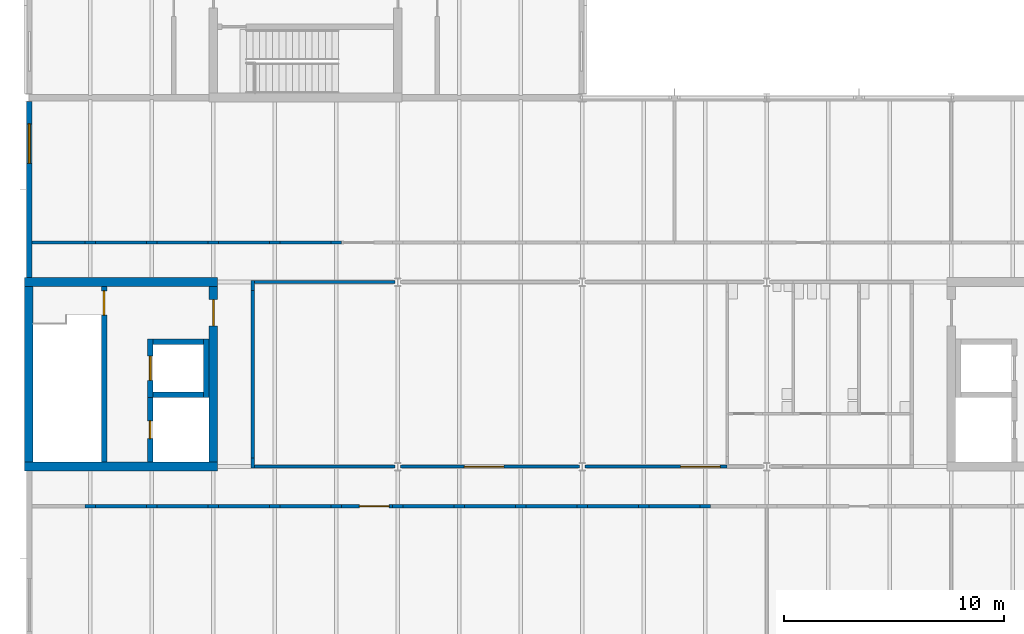
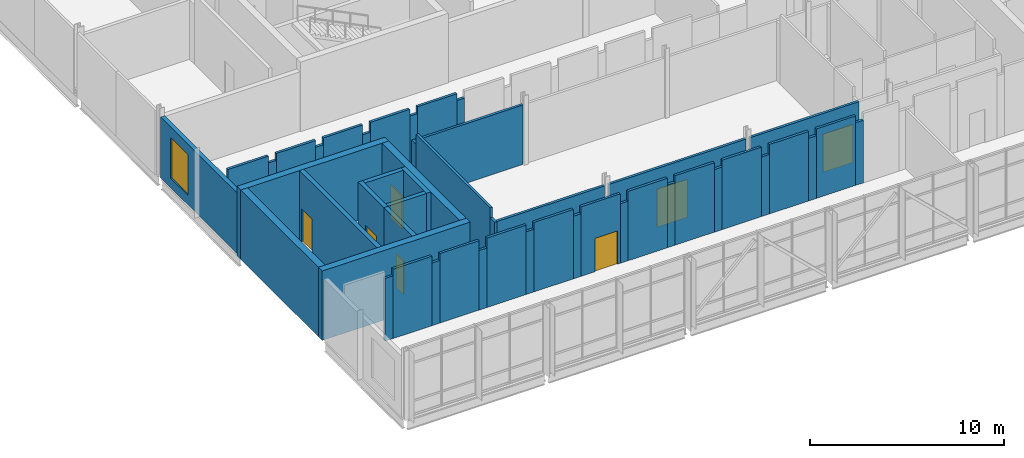
# One storey, part 38 of 72: 49 walls, 7 doors, 1 window, 8 openings.
"""IFC4 building model written with IfcOpenShell, lengths in metres."""

from ifc_helpers import new_model, si_unit, direction, frame, frame_2d, origin, place, context, subcontext, project, spatial, rectangle, extrude, material, layer, layer_set, type_object, element, fill, save


model = new_model("IFC4")

# Units and contexts
model_context = context("Model", 3, precision=1e-05, world=origin(), true_north=direction((0.0, 1.0)))
body_context = subcontext(model_context, "Body", "Model", "MODEL_VIEW")
ifc_project = project(units=[si_unit("LENGTHUNIT", "METRE"), si_unit("AREAUNIT", "SQUARE_METRE"), si_unit("VOLUMEUNIT", "CUBIC_METRE"), si_unit("PLANEANGLEUNIT", "RADIAN"), si_unit("MASSUNIT", "GRAM", prefix="KILO")], contexts=[model_context])

# Site, building, storey
site_placement = place(None, origin())
site = spatial("IfcSite", under=ifc_project, at=site_placement, CompositionType="ELEMENT")
building_placement = place(site_placement, origin())
building = spatial("IfcBuilding", under=site, at=building_placement, Name="Hlaing Beacon Police Headquarters", CompositionType="ELEMENT")
storey_placement = place(building_placement, frame((0.0, 0.0, 14.39990234375)))
storey = spatial("IfcBuildingStorey", under=building, at=storey_placement, Name="L03", CompositionType="ELEMENT", Elevation=14.39990234375)

# Walls
ifc_material_1 = material(Name="Concrete C60/75", Category="concrete")
ifc_layer_1 = layer(ifc_material_1, 0.39990234375)
ifc_layer_set_1 = layer_set([ifc_layer_1], Name="Concrete C60/75")
wall_type_1 = type_object("IfcWallType", Name="Core shear wall 400", PredefinedType="SHEAR", material=ifc_layer_set_1)
for number, where, z_axis, x_axis, name in (
    (1, (8.199951171875, 16.800048828125, 0.0), (0.0, 0.0, 1.0), (1.0, 0.0, 0.0), "Core shear wall"),
    (2, (8.199951171875, 25.199951171875, 0.0), (0.0, 0.0, 1.0), (1.0, 0.0, 0.0), "Core shear wall"),
):
    element("IfcWall", number, at=place(storey_placement, frame(where, z_axis=z_axis, x_axis=x_axis)), inside=storey, type_object=wall_type_1, Name=name, PredefinedType="SHEAR", context=body_context, shape_type="SweptSolid", body=[
        extrude(rectangle(XDim=8.800048828125, YDim=0.39990234375, at=frame_2d((4.39990234375, 0.0))), origin(), (0.0, 0.0, 1.0), 4.3701171875),
    ])
wall_1_placement = place(storey_placement, frame((8.39990234375, 17.0, 0.0), z_axis=(0.0, 0.0, 1.0), x_axis=(0.0, 1.0, 0.0)))
element("IfcWall", 3, at=wall_1_placement, inside=storey, type_object=wall_type_1, Name="Core shear wall", PredefinedType="SHEAR", context=body_context, shape_type="SweptSolid", body=[
    extrude(rectangle(XDim=8.0, YDim=0.39990234375, at=frame_2d((4.0, 0.0))), origin(), (0.0, 0.0, 1.0), 4.3701171875),
])

# Wall, opening, door
wall_2_placement = place(storey_placement, frame((16.800048828125, 17.0, 0.0), z_axis=(0.0, 0.0, 1.0), x_axis=(0.0, 1.0, 0.0)))
wall_2 = element("IfcWall", 4, at=wall_2_placement, inside=storey, type_object=wall_type_1, Name="Core shear wall", PredefinedType="SHEAR", context=body_context, shape_type="SweptSolid", body=[
    extrude(rectangle(XDim=8.0, YDim=0.39990234375, at=frame_2d((4.0, 0.0))), origin(), (0.0, 0.0, 1.0), 4.3701171875),
])
opening_1_placement = place(wall_2_placement, frame((6.199951171875, 0.0, 0.0)))
opening_1 = element("IfcOpeningElement", 5, at=opening_1_placement, cuts=wall_2, Name="Opening L03-901", PredefinedType="OPENING", context=body_context, shape_type="SweptSolid", body=[
    extrude(rectangle(XDim=1.199951171875, YDim=2.10009765625, at=frame_2d((0.60009765625, 1.050048828125))), frame((0.0, 0.2099609375, 0.0), z_axis=(0.0, -1.0, 0.0), x_axis=(1.0, 0.0, 0.0)), (0.0, 0.0, 1.0), 0.419921875),
])
ifc_material_2 = material(Name="Steel fire door leaf", Category="steel")
ifc_layer_2 = layer(ifc_material_2, 0.070068359375)
ifc_layer_set_2 = layer_set([ifc_layer_2], Name="Steel fire door leaf")
door_type_1 = type_object("IfcDoorType", Name="Steel fire door FD60S 1200x2100", OperationType="SINGLE_SWING_LEFT", PredefinedType="DOOR", material=ifc_layer_set_2)
door_1_placement = place(opening_1_placement, origin())
door_1 = element("IfcDoor", 6, at=door_1_placement, inside=storey, type_object=door_type_1, Name="Door Lift and Stair Lobby ST-J Entry", OperationType="SINGLE_SWING_RIGHT", OverallHeight=2.10009765625, OverallWidth=1.199951171875, PredefinedType="DOOR", context=body_context, shape_type="SweptSolid", body=[
    extrude(rectangle(XDim=1.199951171875, YDim=2.10009765625, at=frame_2d((0.60009765625, 1.050048828125))), frame((0.0, 0.03515625, 0.0), z_axis=(0.0, -1.0, 0.0), x_axis=(1.0, 0.0, 0.0)), (0.0, 0.0, 1.0), 0.070068359375),
])
fill(opening_1, door_1)

# Walls
ifc_material_3 = material(Name="Gypsum board partition")
ifc_layer_3 = layer(ifc_material_3, 0.14990234375)
ifc_layer_set_3 = layer_set([ifc_layer_3], Name="Gypsum board partition")
wall_type_2 = type_object("IfcWallType", Name="Corridor wall EI 30 150", PredefinedType="PARTITIONING", material=ifc_layer_set_3)
wall_3_placement = place(storey_placement, frame((18.60009765625, 16.72509765625, 0.0), z_axis=(0.0, 0.0, 1.0), x_axis=(0.0, 1.0, 0.0)))
element("IfcWall", 7, at=wall_3_placement, inside=storey, type_object=wall_type_2, Name="Corridor wall EI 30 150", PredefinedType="PARTITIONING", context=body_context, shape_type="SweptSolid", body=[
    extrude(rectangle(XDim=0.4599609375, YDim=0.14990234375, at=frame_2d((0.22998046875, 0.0))), origin(), (0.0, 0.0, 1.0), 3.7431640625),
])
wall_4_placement = place(storey_placement, frame((18.60009765625, 17.18505859375, 0.0), z_axis=(0.0, 0.0, 1.0), x_axis=(0.0, 1.0, 0.0)))
element("IfcWall", 8, at=wall_4_placement, inside=storey, type_object=wall_type_2, Name="Corridor wall EI 30 150", PredefinedType="PARTITIONING", context=body_context, shape_type="SweptSolid", body=[
    extrude(rectangle(XDim=7.6298828125, YDim=0.14990234375, at=frame_2d((3.81494140625, 0.0))), origin(), (0.0, 0.0, 1.0), 4.3701171875),
])
wall_5_placement = place(storey_placement, frame((18.60009765625, 24.81494140625, 0.0), z_axis=(0.0, 0.0, 1.0), x_axis=(0.0, 1.0, 0.0)))
element("IfcWall", 9, at=wall_5_placement, inside=storey, type_object=wall_type_2, Name="Corridor wall EI 30 150", PredefinedType="PARTITIONING", context=body_context, shape_type="SweptSolid", body=[
    extrude(rectangle(XDim=0.4599609375, YDim=0.14990234375, at=frame_2d((0.22998046875, 0.0))), origin(), (0.0, 0.0, 1.0), 3.7431640625),
])
wall_6_placement = place(storey_placement, frame((18.675048828125, 16.800048828125, 0.0), z_axis=(0.0, 0.0, 1.0), x_axis=(1.0, 0.0, 0.0)))
element("IfcWall", 10, at=wall_6_placement, inside=storey, type_object=wall_type_2, Name="Corridor wall EI 30 150", PredefinedType="PARTITIONING", context=body_context, shape_type="SweptSolid", body=[
    extrude(rectangle(XDim=6.39697265625, YDim=0.14990234375, at=frame_2d((3.198486328125, 0.0))), origin(), (0.0, 0.0, 1.0), 3.7431640625),
])

# Wall, opening, door
wall_7_placement = place(storey_placement, frame((25.327880859375, 16.800048828125, 0.0), z_axis=(0.0, 0.0, 1.0), x_axis=(1.0, 0.0, 0.0)))
wall_7 = element("IfcWall", 11, at=wall_7_placement, inside=storey, type_object=wall_type_2, Name="Corridor wall EI 30 150", PredefinedType="PARTITIONING", context=body_context, shape_type="SweptSolid", body=[
    extrude(rectangle(XDim=8.14306640625, YDim=0.14990234375, at=frame_2d((4.071533203125, 0.0))), origin(), (0.0, 0.0, 1.0), 3.7431640625),
])
opening_2_placement = place(wall_7_placement, frame((2.89990234375, 0.0, 0.0)))
opening_2 = element("IfcOpeningElement", 12, at=opening_2_placement, cuts=wall_7, Name="Opening L03-001", PredefinedType="OPENING", context=body_context, shape_type="SweptSolid", body=[
    extrude(rectangle(XDim=1.800048828125, YDim=2.39990234375, at=frame_2d((0.89990234375, 1.199951171875))), frame((0.0, 0.0849609375, 0.0), z_axis=(0.0, -1.0, 0.0), x_axis=(1.0, 0.0, 0.0)), (0.0, 0.0, 1.0), 0.169921875),
])
ifc_material_4 = material(Name="Hardwood door leaf", Category="wood")
ifc_layer_4 = layer(ifc_material_4, 0.050048828125)
ifc_layer_set_4 = layer_set([ifc_layer_4], Name="Hardwood door leaf")
door_type_2 = type_object("IfcDoorType", Name="Fire public double door FD30S 1800x2400", OperationType="DOUBLE_DOOR_SINGLE_SWING", PredefinedType="DOOR", material=ifc_layer_set_4)
door_2_placement = place(opening_2_placement, frame((1.800048828125, 0.0, 0.0), z_axis=(0.0, 0.0, 1.0), x_axis=(-1.0, 0.0, 0.0)))
door_2 = element("IfcDoor", 13, at=door_2_placement, inside=storey, type_object=door_type_2, Name="Door Staff Restaurant", OperationType="DOUBLE_DOOR_SINGLE_SWING", OverallHeight=2.39990234375, OverallWidth=1.800048828125, PredefinedType="DOOR", context=body_context, shape_type="SweptSolid", body=[
    extrude(rectangle(XDim=1.800048828125, YDim=2.39990234375, at=frame_2d((0.900146484375, 1.199951171875))), frame((0.0, 0.025146484375, 0.0), z_axis=(0.0, -1.0, 0.0), x_axis=(1.0, 0.0, 0.0)), (0.0, 0.0, 1.0), 0.050048828125),
])
fill(opening_2, door_2)

wall_8_placement = place(storey_placement, frame((33.72900390625, 16.800048828125, 0.0), z_axis=(0.0, 0.0, 1.0), x_axis=(1.0, 0.0, 0.0)))
wall_8 = element("IfcWall", 14, at=wall_8_placement, inside=storey, type_object=wall_type_2, Name="Corridor wall EI 30 150", PredefinedType="PARTITIONING", context=body_context, shape_type="SweptSolid", body=[
    extrude(rectangle(XDim=6.470947265625, YDim=0.14990234375, at=frame_2d((3.2353515625, 0.0))), origin(), (0.0, 0.0, 1.0), 3.7431640625),
])
opening_3_placement = place(wall_8_placement, frame((4.35009765625, 0.0, 0.0)))
opening_3 = element("IfcOpeningElement", 15, at=opening_3_placement, cuts=wall_8, Name="Opening L03-002", PredefinedType="OPENING", context=body_context, shape_type="SweptSolid", body=[
    extrude(rectangle(XDim=1.800048828125, YDim=2.39990234375, at=frame_2d((0.89990234375, 1.199951171875))), frame((0.0, 0.0849609375, 0.0), z_axis=(0.0, -1.0, 0.0), x_axis=(1.0, 0.0, 0.0)), (0.0, 0.0, 1.0), 0.169921875),
])
door_3_placement = place(opening_3_placement, frame((1.800048828125, 0.0, 0.0), z_axis=(0.0, 0.0, 1.0), x_axis=(-1.0, 0.0, 0.0)))
door_3 = element("IfcDoor", 16, at=door_3_placement, inside=storey, type_object=door_type_2, Name="Door Staff Restaurant", OperationType="DOUBLE_DOOR_SINGLE_SWING", OverallHeight=2.39990234375, OverallWidth=1.800048828125, PredefinedType="DOOR", context=body_context, shape_type="SweptSolid", body=[
    extrude(rectangle(XDim=1.800048828125, YDim=2.39990234375, at=frame_2d((0.900146484375, 1.199951171875))), frame((0.0, 0.025146484375, 0.0), z_axis=(0.0, -1.0, 0.0), x_axis=(1.0, 0.0, 0.0)), (0.0, 0.0, 1.0), 0.050048828125),
])
fill(opening_3, door_3)

# Walls
wall_9_placement = place(storey_placement, frame((18.675048828125, 25.199951171875, 0.0), z_axis=(0.0, 0.0, 1.0), x_axis=(1.0, 0.0, 0.0)))
element("IfcWall", 17, at=wall_9_placement, inside=storey, type_object=wall_type_2, Name="Corridor wall EI 30 150", PredefinedType="PARTITIONING", context=body_context, shape_type="SweptSolid", body=[
    extrude(rectangle(XDim=6.39697265625, YDim=0.14990234375, at=frame_2d((3.198486328125, 0.0))), origin(), (0.0, 0.0, 1.0), 3.7431640625),
])
wall_10_placement = place(storey_placement, frame((8.550048828125, 27.0, 0.0), z_axis=(0.0, 0.0, 1.0), x_axis=(1.0, 0.0, 0.0)))
element("IfcWall", 18, at=wall_10_placement, inside=storey, type_object=wall_type_2, Name="Corridor wall EI 30 150", PredefinedType="PARTITIONING", context=body_context, shape_type="SweptSolid", body=[
    extrude(rectangle(XDim=2.419921875, YDim=0.14990234375, at=frame_2d((1.2099609375, 0.0))), origin(), (0.0, 0.0, 1.0), 4.3701171875),
])
wall_11_placement = place(storey_placement, frame((10.969970703125, 27.0, 0.0), z_axis=(0.0, 0.0, 1.0), x_axis=(1.0, 0.0, 0.0)))
element("IfcWall", 19, at=wall_11_placement, inside=storey, type_object=wall_type_2, Name="Corridor wall EI 30 150", PredefinedType="PARTITIONING", context=body_context, shape_type="SweptSolid", body=[
    extrude(rectangle(XDim=0.4599609375, YDim=0.14990234375, at=frame_2d((0.22998046875, 0.0))), origin(), (0.0, 0.0, 1.0), 3.941162109375),
])
wall_12_placement = place(storey_placement, frame((11.429931640625, 27.0, 0.0), z_axis=(0.0, 0.0, 1.0), x_axis=(1.0, 0.0, 0.0)))
element("IfcWall", 20, at=wall_12_placement, inside=storey, type_object=wall_type_2, Name="Corridor wall EI 30 150", PredefinedType="PARTITIONING", context=body_context, shape_type="SweptSolid", body=[
    extrude(rectangle(XDim=2.340087890625, YDim=0.14990234375, at=frame_2d((1.169921875, 0.0))), origin(), (0.0, 0.0, 1.0), 4.3701171875),
])
wall_13_placement = place(storey_placement, frame((13.77001953125, 27.0, 0.0), z_axis=(0.0, 0.0, 1.0), x_axis=(1.0, 0.0, 0.0)))
element("IfcWall", 21, at=wall_13_placement, inside=storey, type_object=wall_type_2, Name="Corridor wall EI 30 150", PredefinedType="PARTITIONING", context=body_context, shape_type="SweptSolid", body=[
    extrude(rectangle(XDim=0.4599609375, YDim=0.14990234375, at=frame_2d((0.22998046875, 0.0))), origin(), (0.0, 0.0, 1.0), 3.941162109375),
])
wall_14_placement = place(storey_placement, frame((14.22998046875, 27.0, 0.0), z_axis=(0.0, 0.0, 1.0), x_axis=(1.0, 0.0, 0.0)))
element("IfcWall", 22, at=wall_14_placement, inside=storey, type_object=wall_type_2, Name="Corridor wall EI 30 150", PredefinedType="PARTITIONING", context=body_context, shape_type="SweptSolid", body=[
    extrude(rectangle(XDim=2.340087890625, YDim=0.14990234375, at=frame_2d((1.169921875, 0.0))), origin(), (0.0, 0.0, 1.0), 4.3701171875),
])
wall_15_placement = place(storey_placement, frame((16.570068359375, 27.0, 0.0), z_axis=(0.0, 0.0, 1.0), x_axis=(1.0, 0.0, 0.0)))
element("IfcWall", 23, at=wall_15_placement, inside=storey, type_object=wall_type_2, Name="Corridor wall EI 30 150", PredefinedType="PARTITIONING", context=body_context, shape_type="SweptSolid", body=[
    extrude(rectangle(XDim=0.4599609375, YDim=0.14990234375, at=frame_2d((0.22998046875, 0.0))), origin(), (0.0, 0.0, 1.0), 3.7431640625),
])
wall_16_placement = place(storey_placement, frame((17.030029296875, 27.0, 0.0), z_axis=(0.0, 0.0, 1.0), x_axis=(1.0, 0.0, 0.0)))
element("IfcWall", 24, at=wall_16_placement, inside=storey, type_object=wall_type_2, Name="Corridor wall EI 30 150", PredefinedType="PARTITIONING", context=body_context, shape_type="SweptSolid", body=[
    extrude(rectangle(XDim=2.340087890625, YDim=0.14990234375, at=frame_2d((1.169921875, 0.0))), origin(), (0.0, 0.0, 1.0), 4.3701171875),
])
wall_17_placement = place(storey_placement, frame((19.3701171875, 27.0, 0.0), z_axis=(0.0, 0.0, 1.0), x_axis=(1.0, 0.0, 0.0)))
element("IfcWall", 25, at=wall_17_placement, inside=storey, type_object=wall_type_2, Name="Corridor wall EI 30 150", PredefinedType="PARTITIONING", context=body_context, shape_type="SweptSolid", body=[
    extrude(rectangle(XDim=0.4599609375, YDim=0.14990234375, at=frame_2d((0.22998046875, 0.0))), origin(), (0.0, 0.0, 1.0), 3.941162109375),
])
wall_18_placement = place(storey_placement, frame((19.830078125, 27.0, 0.0), z_axis=(0.0, 0.0, 1.0), x_axis=(1.0, 0.0, 0.0)))
element("IfcWall", 26, at=wall_18_placement, inside=storey, type_object=wall_type_2, Name="Corridor wall EI 30 150", PredefinedType="PARTITIONING", context=body_context, shape_type="SweptSolid", body=[
    extrude(rectangle(XDim=2.33984375, YDim=0.14990234375, at=frame_2d((1.169921875, 0.0))), origin(), (0.0, 0.0, 1.0), 4.3701171875),
])
for number, where, z_axis, x_axis, name in (
    (27, (22.169921875, 27.0, 0.0), (0.0, 0.0, 1.0), (1.0, 0.0, 0.0), "Corridor wall EI 30 150"),
    (28, (10.969970703125, 15.0, 0.0), (0.0, 0.0, 1.0), (1.0, 0.0, 0.0), "Corridor wall EI 30 150"),
):
    element("IfcWall", number, at=place(storey_placement, frame(where, z_axis=z_axis, x_axis=x_axis)), inside=storey, type_object=wall_type_2, Name=name, PredefinedType="PARTITIONING", context=body_context, shape_type="SweptSolid", body=[
        extrude(rectangle(XDim=0.4599609375, YDim=0.14990234375, at=frame_2d((0.22998046875, 0.0))), origin(), (0.0, 0.0, 1.0), 3.941162109375),
    ])
wall_19_placement = place(storey_placement, frame((11.429931640625, 15.0, 0.0), z_axis=(0.0, 0.0, 1.0), x_axis=(1.0, 0.0, 0.0)))
element("IfcWall", 29, at=wall_19_placement, inside=storey, type_object=wall_type_2, Name="Corridor wall EI 30 150", PredefinedType="PARTITIONING", context=body_context, shape_type="SweptSolid", body=[
    extrude(rectangle(XDim=2.340087890625, YDim=0.14990234375, at=frame_2d((1.169921875, 0.0))), origin(), (0.0, 0.0, 1.0), 4.3701171875),
])
wall_20_placement = place(storey_placement, frame((13.77001953125, 15.0, 0.0), z_axis=(0.0, 0.0, 1.0), x_axis=(1.0, 0.0, 0.0)))
element("IfcWall", 30, at=wall_20_placement, inside=storey, type_object=wall_type_2, Name="Corridor wall EI 30 150", PredefinedType="PARTITIONING", context=body_context, shape_type="SweptSolid", body=[
    extrude(rectangle(XDim=0.4599609375, YDim=0.14990234375, at=frame_2d((0.22998046875, 0.0))), origin(), (0.0, 0.0, 1.0), 3.941162109375),
])
wall_21_placement = place(storey_placement, frame((14.22998046875, 15.0, 0.0), z_axis=(0.0, 0.0, 1.0), x_axis=(1.0, 0.0, 0.0)))
element("IfcWall", 31, at=wall_21_placement, inside=storey, type_object=wall_type_2, Name="Corridor wall EI 30 150", PredefinedType="PARTITIONING", context=body_context, shape_type="SweptSolid", body=[
    extrude(rectangle(XDim=2.340087890625, YDim=0.14990234375, at=frame_2d((1.169921875, 0.0))), origin(), (0.0, 0.0, 1.0), 4.3701171875),
])
wall_22_placement = place(storey_placement, frame((16.570068359375, 15.0, 0.0), z_axis=(0.0, 0.0, 1.0), x_axis=(1.0, 0.0, 0.0)))
element("IfcWall", 32, at=wall_22_placement, inside=storey, type_object=wall_type_2, Name="Corridor wall EI 30 150", PredefinedType="PARTITIONING", context=body_context, shape_type="SweptSolid", body=[
    extrude(rectangle(XDim=0.4599609375, YDim=0.14990234375, at=frame_2d((0.22998046875, 0.0))), origin(), (0.0, 0.0, 1.0), 3.7431640625),
])
wall_23_placement = place(storey_placement, frame((17.030029296875, 15.0, 0.0), z_axis=(0.0, 0.0, 1.0), x_axis=(1.0, 0.0, 0.0)))
element("IfcWall", 33, at=wall_23_placement, inside=storey, type_object=wall_type_2, Name="Corridor wall EI 30 150", PredefinedType="PARTITIONING", context=body_context, shape_type="SweptSolid", body=[
    extrude(rectangle(XDim=2.340087890625, YDim=0.14990234375, at=frame_2d((1.169921875, 0.0))), origin(), (0.0, 0.0, 1.0), 4.3701171875),
])
wall_24_placement = place(storey_placement, frame((19.3701171875, 15.0, 0.0), z_axis=(0.0, 0.0, 1.0), x_axis=(1.0, 0.0, 0.0)))
element("IfcWall", 34, at=wall_24_placement, inside=storey, type_object=wall_type_2, Name="Corridor wall EI 30 150", PredefinedType="PARTITIONING", context=body_context, shape_type="SweptSolid", body=[
    extrude(rectangle(XDim=0.4599609375, YDim=0.14990234375, at=frame_2d((0.22998046875, 0.0))), origin(), (0.0, 0.0, 1.0), 3.941162109375),
])
wall_25_placement = place(storey_placement, frame((19.830078125, 15.0, 0.0), z_axis=(0.0, 0.0, 1.0), x_axis=(1.0, 0.0, 0.0)))
element("IfcWall", 35, at=wall_25_placement, inside=storey, type_object=wall_type_2, Name="Corridor wall EI 30 150", PredefinedType="PARTITIONING", context=body_context, shape_type="SweptSolid", body=[
    extrude(rectangle(XDim=2.33984375, YDim=0.14990234375, at=frame_2d((1.169921875, 0.0))), origin(), (0.0, 0.0, 1.0), 4.3701171875),
])
wall_26_placement = place(storey_placement, frame((22.169921875, 15.0, 0.0), z_axis=(0.0, 0.0, 1.0), x_axis=(1.0, 0.0, 0.0)))
element("IfcWall", 36, at=wall_26_placement, inside=storey, type_object=wall_type_2, Name="Corridor wall EI 30 150", PredefinedType="PARTITIONING", context=body_context, shape_type="SweptSolid", body=[
    extrude(rectangle(XDim=0.4599609375, YDim=0.14990234375, at=frame_2d((0.22998046875, 0.0))), origin(), (0.0, 0.0, 1.0), 3.941162109375),
])

# Wall, opening, door
wall_27_placement = place(storey_placement, frame((22.6298828125, 15.0, 0.0), z_axis=(0.0, 0.0, 1.0), x_axis=(1.0, 0.0, 0.0)))
wall_27 = element("IfcWall", 37, at=wall_27_placement, inside=storey, type_object=wall_type_2, Name="Corridor wall EI 30 150", PredefinedType="PARTITIONING", context=body_context, shape_type="SweptSolid", body=[
    extrude(rectangle(XDim=2.340087890625, YDim=0.14990234375, at=frame_2d((1.169921875, 0.0))), origin(), (0.0, 0.0, 1.0), 4.3701171875),
])
opening_4_placement = place(wall_27_placement, frame((0.820068359375, 0.0, 0.0)))
opening_4 = element("IfcOpeningElement", 38, at=opening_4_placement, cuts=wall_27, Name="Opening L03-010", PredefinedType="OPENING", context=body_context, shape_type="SweptSolid", body=[
    extrude(rectangle(XDim=1.35009765625, YDim=2.10009765625, at=frame_2d((0.675048828125, 1.050048828125))), frame((0.0, 0.0849609375, 0.0), z_axis=(0.0, -1.0, 0.0), x_axis=(1.0, 0.0, 0.0)), (0.0, 0.0, 1.0), 0.169921875),
])
ifc_material_5 = material(Name="Hardwood door leaf", Category="wood")
ifc_layer_5 = layer(ifc_material_5, 0.050048828125)
ifc_layer_set_5 = layer_set([ifc_layer_5], Name="Hardwood door leaf")
door_type_3 = type_object("IfcDoorType", Name="Fire leaf-and-a-half door FD30S 1350x2100", OperationType="DOUBLE_DOOR_SINGLE_SWING", PredefinedType="DOOR", material=ifc_layer_set_5)
door_4_placement = place(opening_4_placement, frame((1.35009765625, 0.0, 0.0), z_axis=(0.0, 0.0, 1.0), x_axis=(-1.0, 0.0, 0.0)))
door_4 = element("IfcDoor", 39, at=door_4_placement, inside=storey, type_object=door_type_3, Name="Door Human Resources", OperationType="DOUBLE_DOOR_SINGLE_SWING", OverallHeight=2.10009765625, OverallWidth=1.35009765625, PredefinedType="DOOR", context=body_context, shape_type="SweptSolid", body=[
    extrude(rectangle(XDim=1.35009765625, YDim=2.10009765625, at=frame_2d((0.675048828125, 1.050048828125))), frame((0.0, 0.025146484375, 0.0), z_axis=(0.0, -1.0, 0.0), x_axis=(1.0, 0.0, 0.0)), (0.0, 0.0, 1.0), 0.050048828125),
])
fill(opening_4, door_4)

# Walls
wall_28_placement = place(storey_placement, frame((24.969970703125, 15.0, 0.0), z_axis=(0.0, 0.0, 1.0), x_axis=(1.0, 0.0, 0.0)))
element("IfcWall", 40, at=wall_28_placement, inside=storey, type_object=wall_type_2, Name="Corridor wall EI 30 150", PredefinedType="PARTITIONING", context=body_context, shape_type="SweptSolid", body=[
    extrude(rectangle(XDim=0.4599609375, YDim=0.14990234375, at=frame_2d((0.22998046875, 0.0))), origin(), (0.0, 0.0, 1.0), 3.7431640625),
])
wall_29_placement = place(storey_placement, frame((25.429931640625, 15.0, 0.0), z_axis=(0.0, 0.0, 1.0), x_axis=(1.0, 0.0, 0.0)))
element("IfcWall", 41, at=wall_29_placement, inside=storey, type_object=wall_type_2, Name="Corridor wall EI 30 150", PredefinedType="PARTITIONING", context=body_context, shape_type="SweptSolid", body=[
    extrude(rectangle(XDim=2.340087890625, YDim=0.14990234375, at=frame_2d((1.169921875, 0.0))), origin(), (0.0, 0.0, 1.0), 4.3701171875),
])
wall_30_placement = place(storey_placement, frame((27.77001953125, 15.0, 0.0), z_axis=(0.0, 0.0, 1.0), x_axis=(1.0, 0.0, 0.0)))
element("IfcWall", 42, at=wall_30_placement, inside=storey, type_object=wall_type_2, Name="Corridor wall EI 30 150", PredefinedType="PARTITIONING", context=body_context, shape_type="SweptSolid", body=[
    extrude(rectangle(XDim=0.4599609375, YDim=0.14990234375, at=frame_2d((0.22998046875, 0.0))), origin(), (0.0, 0.0, 1.0), 3.941162109375),
])
wall_31_placement = place(storey_placement, frame((28.22998046875, 15.0, 0.0), z_axis=(0.0, 0.0, 1.0), x_axis=(1.0, 0.0, 0.0)))
element("IfcWall", 43, at=wall_31_placement, inside=storey, type_object=wall_type_2, Name="Corridor wall EI 30 150", PredefinedType="PARTITIONING", context=body_context, shape_type="SweptSolid", body=[
    extrude(rectangle(XDim=2.340087890625, YDim=0.14990234375, at=frame_2d((1.169921875, 0.0))), origin(), (0.0, 0.0, 1.0), 4.3701171875),
])
wall_32_placement = place(storey_placement, frame((30.570068359375, 15.0, 0.0), z_axis=(0.0, 0.0, 1.0), x_axis=(1.0, 0.0, 0.0)))
element("IfcWall", 44, at=wall_32_placement, inside=storey, type_object=wall_type_2, Name="Corridor wall EI 30 150", PredefinedType="PARTITIONING", context=body_context, shape_type="SweptSolid", body=[
    extrude(rectangle(XDim=0.4599609375, YDim=0.14990234375, at=frame_2d((0.22998046875, 0.0))), origin(), (0.0, 0.0, 1.0), 3.941162109375),
])
wall_33_placement = place(storey_placement, frame((31.030029296875, 15.0, 0.0), z_axis=(0.0, 0.0, 1.0), x_axis=(1.0, 0.0, 0.0)))
element("IfcWall", 45, at=wall_33_placement, inside=storey, type_object=wall_type_2, Name="Corridor wall EI 30 150", PredefinedType="PARTITIONING", context=body_context, shape_type="SweptSolid", body=[
    extrude(rectangle(XDim=2.340087890625, YDim=0.14990234375, at=frame_2d((1.169921875, 0.0))), origin(), (0.0, 0.0, 1.0), 4.3701171875),
])
wall_34_placement = place(storey_placement, frame((33.3701171875, 15.0, 0.0), z_axis=(0.0, 0.0, 1.0), x_axis=(1.0, 0.0, 0.0)))
element("IfcWall", 46, at=wall_34_placement, inside=storey, type_object=wall_type_2, Name="Corridor wall EI 30 150", PredefinedType="PARTITIONING", context=body_context, shape_type="SweptSolid", body=[
    extrude(rectangle(XDim=0.4599609375, YDim=0.14990234375, at=frame_2d((0.22998046875, 0.0))), origin(), (0.0, 0.0, 1.0), 3.7431640625),
])
wall_35_placement = place(storey_placement, frame((33.830078125, 15.0, 0.0), z_axis=(0.0, 0.0, 1.0), x_axis=(1.0, 0.0, 0.0)))
element("IfcWall", 47, at=wall_35_placement, inside=storey, type_object=wall_type_2, Name="Corridor wall EI 30 150", PredefinedType="PARTITIONING", context=body_context, shape_type="SweptSolid", body=[
    extrude(rectangle(XDim=2.33984375, YDim=0.14990234375, at=frame_2d((1.169921875, 0.0))), origin(), (0.0, 0.0, 1.0), 4.3701171875),
])
wall_36_placement = place(storey_placement, frame((36.169921875, 15.0, 0.0), z_axis=(0.0, 0.0, 1.0), x_axis=(1.0, 0.0, 0.0)))
element("IfcWall", 48, at=wall_36_placement, inside=storey, type_object=wall_type_2, Name="Corridor wall EI 30 150", PredefinedType="PARTITIONING", context=body_context, shape_type="SweptSolid", body=[
    extrude(rectangle(XDim=0.4599609375, YDim=0.14990234375, at=frame_2d((0.22998046875, 0.0))), origin(), (0.0, 0.0, 1.0), 3.941162109375),
])
wall_37_placement = place(storey_placement, frame((36.6298828125, 15.0, 0.0), z_axis=(0.0, 0.0, 1.0), x_axis=(1.0, 0.0, 0.0)))
element("IfcWall", 49, at=wall_37_placement, inside=storey, type_object=wall_type_2, Name="Corridor wall EI 30 150", PredefinedType="PARTITIONING", context=body_context, shape_type="SweptSolid", body=[
    extrude(rectangle(XDim=2.340087890625, YDim=0.14990234375, at=frame_2d((1.169921875, 0.0))), origin(), (0.0, 0.0, 1.0), 4.3701171875),
])
wall_38_placement = place(storey_placement, frame((38.969970703125, 15.0, 0.0), z_axis=(0.0, 0.0, 1.0), x_axis=(1.0, 0.0, 0.0)))
element("IfcWall", 50, at=wall_38_placement, inside=storey, type_object=wall_type_2, Name="Corridor wall EI 30 150", PredefinedType="PARTITIONING", context=body_context, shape_type="SweptSolid", body=[
    extrude(rectangle(XDim=0.4599609375, YDim=0.14990234375, at=frame_2d((0.22998046875, 0.0))), origin(), (0.0, 0.0, 1.0), 3.941162109375),
])

# Wall, opening, window
ifc_material_6 = material(Name="Concrete C40/50 precast ribbed cladding", Category="concrete")
ifc_layer_6 = layer(ifc_material_6, 0.25)
ifc_layer_set_6 = layer_set([ifc_layer_6], Name="Concrete C40/50 precast ribbed cladding")
wall_type_3 = type_object("IfcWallType", Name="Precast ribbed wall 250", PredefinedType="SOLIDWALL", material=ifc_layer_set_6)
wall_39_placement = place(storey_placement, frame((8.425048828125, 33.430419921875, 0.0), z_axis=(0.0, 0.0, 1.0), x_axis=(0.0, -1.0, 0.0)))
wall_39 = element("IfcWall", 51, at=wall_39_placement, inside=storey, type_object=wall_type_3, Name="External wall L03 W022", PredefinedType="SOLIDWALL", context=body_context, shape_type="SweptSolid", body=[
    extrude(rectangle(XDim=8.030517578125, YDim=0.25, at=frame_2d((4.01513671875, 0.0))), origin(), (0.0, 0.0, 1.0), 3.819091796875),
])
opening_5_placement = place(wall_39_placement, frame((1.030517578125, 0.0, 0.60009765625)))
opening_5 = element("IfcOpeningElement", 52, at=opening_5_placement, cuts=wall_39, Name="Opening WN31", PredefinedType="OPENING", context=body_context, shape_type="SweptSolid", body=[
    extrude(rectangle(XDim=1.800048828125, YDim=2.550048828125, at=frame_2d((0.89990234375, 1.27490234375))), frame((0.0, 0.135009765625, 0.0), z_axis=(0.0, -1.0, 0.0), x_axis=(1.0, 0.0, 0.0)), (0.0, 0.0, 1.0), 0.27001953125),
])
ifc_material_7 = material(Name="Aluminium frame with solar control glazing", Category="aluminium")
window_type = type_object("IfcWindowType", Name="Wide window 1800x2550 frame 80", PartitioningType="SINGLE_PANEL", PredefinedType="WINDOW", material=ifc_material_7)
window_placement = place(opening_5_placement, origin())
window = element("IfcWindow", 53, at=window_placement, inside=storey, type_object=window_type, Name="Window L03 WM", OverallHeight=2.550048828125, OverallWidth=1.800048828125, PartitioningType="SINGLE_PANEL", PredefinedType="WINDOW", context=body_context, shape_type="SweptSolid", body=[
    extrude(rectangle(XDim=1.800048828125, YDim=2.550048828125, at=frame_2d((0.89990234375, 1.27490234375))), frame((0.0, 0.0400390625, 0.0), z_axis=(0.0, -1.0, 0.0), x_axis=(1.0, 0.0, 0.0)), (0.0, 0.0, 1.0), 0.080078125),
])
fill(opening_5, window)

# Wall, opening, door
ifc_material_8 = material(Name="Concrete C40/50", Category="concrete")
ifc_layer_7 = layer(ifc_material_8, 0.25)
ifc_layer_set_7 = layer_set([ifc_layer_7], Name="Concrete C40/50")
wall_type_4 = type_object("IfcWallType", Name="Shaft wall 250", PredefinedType="SOLIDWALL", material=ifc_layer_set_7)
wall_40_placement = place(storey_placement, frame((11.824951171875, 25.0, 0.0), z_axis=(0.0, 0.0, 1.0), x_axis=(0.0, -1.0, 0.0)))
wall_40 = element("IfcWall", 54, at=wall_40_placement, inside=storey, type_object=wall_type_4, Name="Stair enclosure wall", PredefinedType="SOLIDWALL", context=body_context, shape_type="SweptSolid", body=[
    extrude(rectangle(XDim=8.0, YDim=0.25, at=frame_2d((4.0, 0.0))), origin(), (0.0, 0.0, 1.0), 4.3701171875),
])
opening_6_placement = place(wall_40_placement, frame((0.199951171875, 0.0, 0.0)))
opening_6 = element("IfcOpeningElement", 55, at=opening_6_placement, cuts=wall_40, Name="Opening L03-903", PredefinedType="OPENING", context=body_context, shape_type="SweptSolid", body=[
    extrude(rectangle(XDim=1.10009765625, YDim=2.10009765625, at=frame_2d((0.550048828125, 1.050048828125))), frame((0.0, 0.135009765625, 0.0), z_axis=(0.0, -1.0, 0.0), x_axis=(1.0, 0.0, 0.0)), (0.0, 0.0, 1.0), 0.27001953125),
])
ifc_material_9 = material(Name="Steel fire door leaf", Category="steel")
ifc_layer_8 = layer(ifc_material_9, 0.070068359375)
ifc_layer_set_8 = layer_set([ifc_layer_8], Name="Steel fire door leaf")
door_type_4 = type_object("IfcDoorType", Name="Steel fire door FD60 1100x2100", OperationType="SINGLE_SWING_LEFT", PredefinedType="DOOR", material=ifc_layer_set_8)
door_5_placement = place(opening_6_placement, frame((1.10009765625, 0.0, 0.0), z_axis=(0.0, 0.0, 1.0), x_axis=(-1.0, 0.0, 0.0)))
door_5 = element("IfcDoor", 56, at=door_5_placement, inside=storey, type_object=door_type_4, Name="Door Stair ST-J", OperationType="SINGLE_SWING_LEFT", OverallHeight=2.10009765625, OverallWidth=1.10009765625, PredefinedType="DOOR", context=body_context, shape_type="SweptSolid", body=[
    extrude(rectangle(XDim=1.10009765625, YDim=2.10009765625, at=frame_2d((0.550048828125, 1.050048828125))), frame((0.0, 0.034912109375, 0.0), z_axis=(0.0, -1.0, 0.0), x_axis=(1.0, 0.0, 0.0)), (0.0, 0.0, 1.0), 0.070068359375),
])
fill(opening_6, door_5)

wall_41_placement = place(storey_placement, frame((13.925048828125, 19.949951171875, 0.0), z_axis=(0.0, 0.0, 1.0), x_axis=(0.0, -1.0, 0.0)))
wall_41 = element("IfcWall", 57, at=wall_41_placement, inside=storey, type_object=wall_type_4, Name="Lobby wall", PredefinedType="SOLIDWALL", context=body_context, shape_type="SweptSolid", body=[
    extrude(rectangle(XDim=2.949951171875, YDim=0.25, at=frame_2d((1.47509765625, 0.0))), origin(), (0.0, 0.0, 1.0), 4.3701171875),
])
opening_7_placement = place(wall_41_placement, frame((1.074951171875, 0.0, 0.0)))
opening_7 = element("IfcOpeningElement", 58, at=opening_7_placement, cuts=wall_41, Name="Opening L03-902", PredefinedType="OPENING", context=body_context, shape_type="SweptSolid", body=[
    extrude(rectangle(XDim=0.800048828125, YDim=2.10009765625, at=frame_2d((0.39990234375, 1.050048828125))), frame((0.0, 0.135009765625, 0.0), z_axis=(0.0, -1.0, 0.0), x_axis=(1.0, 0.0, 0.0)), (0.0, 0.0, 1.0), 0.27001953125),
])
ifc_material_10 = material(Name="Steel fire door leaf", Category="steel")
ifc_layer_9 = layer(ifc_material_10, 0.070068359375)
ifc_layer_set_9 = layer_set([ifc_layer_9], Name="Steel fire door leaf")
door_type_5 = type_object("IfcDoorType", Name="Steel fire door FD60 800x2100", OperationType="SINGLE_SWING_LEFT", PredefinedType="DOOR", material=ifc_layer_set_9)
door_6_placement = place(opening_7_placement, origin())
door_6 = element("IfcDoor", 59, at=door_6_placement, inside=storey, type_object=door_type_5, Name="Door Services Riser", OperationType="SINGLE_SWING_LEFT", OverallHeight=2.10009765625, OverallWidth=0.800048828125, PredefinedType="DOOR", context=body_context, shape_type="SweptSolid", body=[
    extrude(rectangle(XDim=0.800048828125, YDim=2.10009765625, at=frame_2d((0.39990234375, 1.050048828125))), frame((0.0, 0.03515625, 0.0), z_axis=(0.0, -1.0, 0.0), x_axis=(1.0, 0.0, 0.0)), (0.0, 0.0, 1.0), 0.070068359375),
])
fill(opening_7, door_6)

# Walls
wall_42_placement = place(storey_placement, frame((16.47509765625, 19.949951171875, 0.0), z_axis=(0.0, 0.0, 1.0), x_axis=(0.0, 1.0, 0.0)))
element("IfcWall", 60, at=wall_42_placement, inside=storey, type_object=wall_type_4, Name="Lift shaft wall PL5", PredefinedType="SOLIDWALL", context=body_context, shape_type="SweptSolid", body=[
    extrude(rectangle(XDim=2.650146484375, YDim=0.25, at=frame_2d((1.3251953125, 0.0))), origin(), (0.0, 0.0, 1.0), 4.3701171875),
])
for number, where, z_axis, x_axis, name in (
    (61, (14.050048828125, 22.47509765625, 0.0), (0.0, 0.0, 1.0), (1.0, 0.0, 0.0), "Lift shaft wall PL5"),
    (62, (14.050048828125, 20.074951171875, 0.0), (0.0, 0.0, 1.0), (1.0, 0.0, 0.0), "Lift shaft wall PL5"),
):
    element("IfcWall", number, at=place(storey_placement, frame(where, z_axis=z_axis, x_axis=x_axis)), inside=storey, type_object=wall_type_4, Name=name, PredefinedType="SOLIDWALL", context=body_context, shape_type="SweptSolid", body=[
        extrude(rectangle(XDim=2.300048828125, YDim=0.25, at=frame_2d((1.14990234375, 0.0))), origin(), (0.0, 0.0, 1.0), 4.3701171875),
    ])

# Wall, opening, door
wall_43_placement = place(storey_placement, frame((13.925048828125, 19.949951171875, 0.0), z_axis=(0.0, 0.0, 1.0), x_axis=(0.0, 1.0, 0.0)))
wall_43 = element("IfcWall", 63, at=wall_43_placement, inside=storey, type_object=wall_type_4, Name="Lift shaft wall PL5", PredefinedType="SOLIDWALL", context=body_context, shape_type="SweptSolid", body=[
    extrude(rectangle(XDim=2.650146484375, YDim=0.25, at=frame_2d((1.3251953125, 0.0))), origin(), (0.0, 0.0, 1.0), 4.3701171875),
])
opening_8_placement = place(wall_43_placement, frame((0.77490234375, 0.0, 0.0)))
opening_8 = element("IfcOpeningElement", 64, at=opening_8_placement, cuts=wall_43, Name="Opening LD-PL5-L03", PredefinedType="OPENING", context=body_context, shape_type="SweptSolid", body=[
    extrude(rectangle(XDim=1.10009765625, YDim=2.10009765625, at=frame_2d((0.550048828125, 1.050048828125))), frame((0.0, 0.135009765625, 0.0), z_axis=(0.0, -1.0, 0.0), x_axis=(1.0, 0.0, 0.0)), (0.0, 0.0, 1.0), 0.27001953125),
])
ifc_material_11 = material(Name="Stainless steel lift landing door", Category="steel")
ifc_layer_10 = layer(ifc_material_11, 0.06005859375)
ifc_layer_set_10 = layer_set([ifc_layer_10], Name="Stainless steel lift landing door")
door_type_6 = type_object("IfcDoorType", Name="Lift landing door 1100x2100", OperationType="DOUBLE_DOOR_SLIDING", PredefinedType="DOOR", material=ifc_layer_set_10)
door_7_placement = place(opening_8_placement, origin())
door_7 = element("IfcDoor", 65, at=door_7_placement, inside=storey, type_object=door_type_6, Name="Landing door PL5 L03", OperationType="DOUBLE_DOOR_SLIDING", OverallHeight=2.10009765625, OverallWidth=1.10009765625, PredefinedType="DOOR", context=body_context, shape_type="SweptSolid", body=[
    extrude(rectangle(XDim=1.10009765625, YDim=2.10009765625, at=frame_2d((0.550048828125, 1.050048828125))), frame((0.0, 0.0400390625, 0.0), z_axis=(0.0, -1.0, 0.0), x_axis=(1.0, 0.0, 0.0)), (0.0, 0.0, 1.0), 0.080078125),
])
fill(opening_8, door_7)

save(model, "model.ifc")
